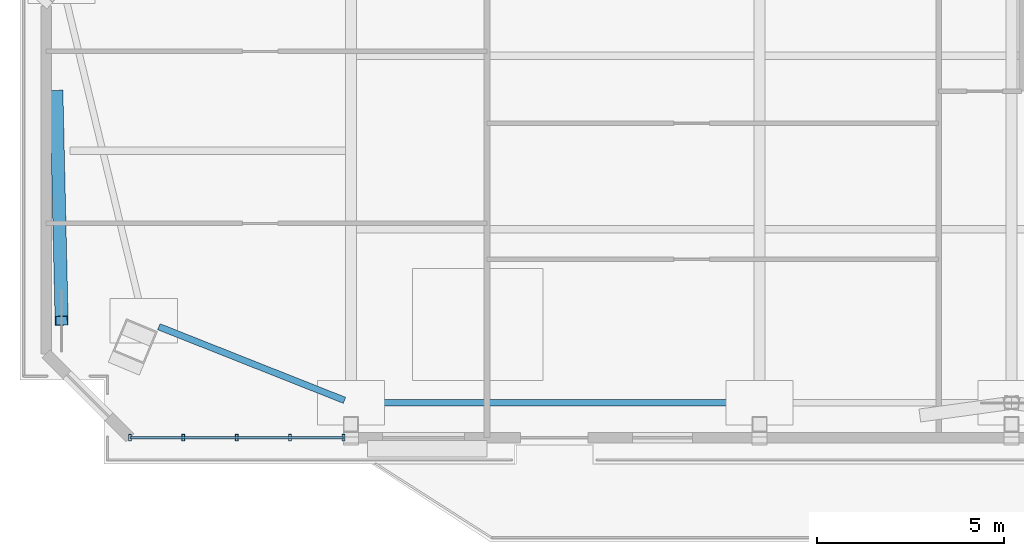
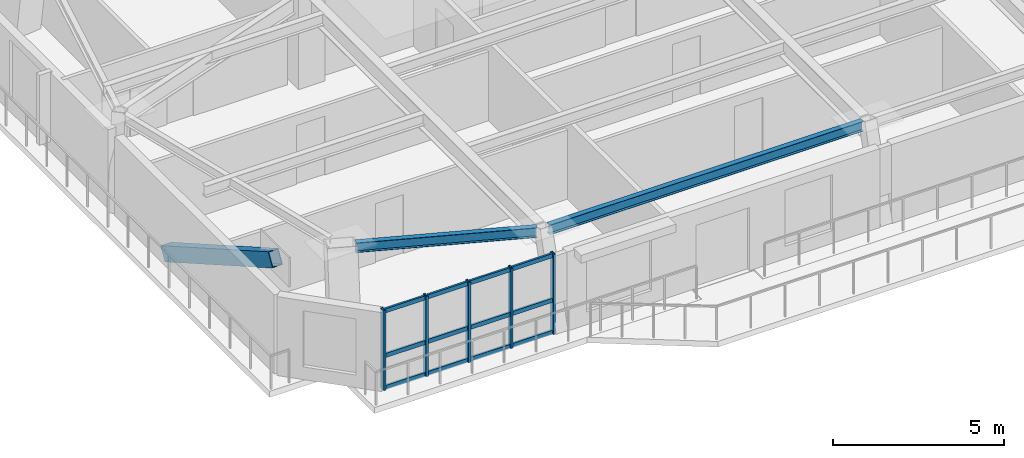
# One storey, part 2 of 12: 9 members, 2 beams, 1 element without a shape of its own.
"""IFC4 building model written with IfcOpenShell, lengths in metres."""

from ifc_helpers import new_model, si_unit, direction, frame, origin, origin_2d, place, context, subcontext, project, spatial, hollow_rectangle, i_section, extrude, source, transform, mapped, material, layer, layer_set, material_profile, profile_set, type_object, element, aggregate, save


model = new_model("IFC4")

# Units and contexts
model_context = context("Model", 3, precision=1e-05, world=origin(), true_north=direction((0.0, 1.0)))
body_context = subcontext(model_context, "Body", "Model", "MODEL_VIEW")
ifc_project = project(units=[si_unit("LENGTHUNIT", "METRE"), si_unit("AREAUNIT", "SQUARE_METRE"), si_unit("VOLUMEUNIT", "CUBIC_METRE"), si_unit("PLANEANGLEUNIT", "RADIAN"), si_unit("MASSUNIT", "GRAM", prefix="KILO")], contexts=[model_context])

# Site, building, storey
site_placement = place(None, origin())
site = spatial("IfcSite", under=ifc_project, at=site_placement, CompositionType="ELEMENT")
building_placement = place(site_placement, origin())
building = spatial("IfcBuilding", under=site, at=building_placement, Name="Giltprow Tower", CompositionType="ELEMENT")
storey_placement = place(building_placement, frame((0.0, 0.0, 342.5)))
storey = spatial("IfcBuildingStorey", under=building, at=storey_placement, Name="L89", CompositionType="ELEMENT", Elevation=342.5)

# Beams
ifc_material_1 = material(Name="Structural steel Q355B", Category="steel")
ifc_material_profile_1 = material_profile(ifc_material_1, i_section(OverallWidth=0.175048828125, OverallDepth=0.35009765625, WebThickness=0.007080078125, FlangeThickness=0.010986328125, at=origin_2d()), Name="HN 350x175x7x11")
ifc_profile_set_1 = profile_set([ifc_material_profile_1], Name="Structural steel Q355B")
beam_type = type_object("IfcBeamType", Name="BM-SPAN-HN350", PredefinedType="SPANDREL", material=ifc_profile_set_1)
shared_shape_1 = source(origin(), body_context, "Body", "SweptSolid", [
    extrude(i_section(OverallWidth=0.175048828125, OverallDepth=0.35009765625, WebThickness=0.007080078125, FlangeThickness=0.010986328125, at=origin_2d()), origin(), (0.0, 0.0, 1.0), 10.580078125),
])
beam_1_placement = place(storey_placement, frame((20.034912109375, 23.5, 3.010009765625), z_axis=(1.0, 0.0, 0.0), x_axis=(0.0, 1.0, 0.0)))
element("IfcBeam", 1, at=beam_1_placement, inside=storey, type_object=beam_type, Name="L89 Perimeter Spandrel Beam S1-S2", PredefinedType="SPANDREL", context=body_context, shape_type="MappedRepresentation", body=[
    mapped(shared_shape_1, transform((0.0, 0.0, 0.0), x_axis=(1.0, 0.0, 0.0), y_axis=(0.0, 1.0, 0.0), z_axis=(0.0, 0.0, 1.0), scale=1.0)),
])
shared_shape_2 = source(origin(), body_context, "Body", "SweptSolid", [
    extrude(i_section(OverallWidth=0.175048828125, OverallDepth=0.35009765625, WebThickness=0.007080078125, FlangeThickness=0.010986328125, at=origin_2d()), origin(), (0.0, 0.0, 1.0), 5.3505859375),
])
beam_2_placement = place(storey_placement, frame((14.7041015625, 25.5400390625, 3.010009765625), z_axis=(0.929608362745, -0.368548900304, 0.0), x_axis=(0.368548900304, 0.929608362745, 0.0)))
element("IfcBeam", 2, at=beam_2_placement, inside=storey, type_object=beam_type, Name="L89 Perimeter Spandrel Beam MC_SW-S1", PredefinedType="SPANDREL", context=body_context, shape_type="MappedRepresentation", body=[
    mapped(shared_shape_2, transform((0.0, 0.0, 0.0), x_axis=(1.0, 0.0, 0.0), y_axis=(0.0, 1.0, 0.0), z_axis=(0.0, 0.0, 1.0), scale=1.0)),
])

# Member
ifc_material_2 = material(Name="Structural steel Q420GJC", Category="steel")
ifc_material_profile_2 = material_profile(ifc_material_2, hollow_rectangle(XDim=0.35009765625, YDim=0.5, WallThickness=0.02392578125, at=origin_2d()), Name="RHS 500x350x24")
ifc_profile_set_2 = profile_set([ifc_material_profile_2], Name="Structural steel Q420GJC")
member_type_1 = type_object("IfcMemberType", Name="MBR-MEGA-RHS500", PredefinedType="BRACE", material=ifc_profile_set_2)
shared_shape_3 = source(origin(), body_context, "Body", "SweptSolid", [
    extrude(hollow_rectangle(XDim=0.35009765625, YDim=0.5, WallThickness=0.02392578125, at=origin_2d()), origin(), (0.0, 0.0, 1.0), 6.942138671875),
])
member_1_placement = place(storey_placement, frame((11.9619140625, 31.7509765625, 0.0), z_axis=(0.019905036356, -0.871636618536, 0.489748297347), x_axis=(0.99973935152, 0.022830440708, 0.0)))
element("IfcMember", 3, at=member_1_placement, inside=storey, type_object=member_type_1, Name="L89 Chevron Mega-Brace W-D", PredefinedType="BRACE", context=body_context, shape_type="MappedRepresentation", body=[
    mapped(shared_shape_3, transform((0.0, 0.0, 0.0), x_axis=(1.0, 0.0, 0.0), y_axis=(0.0, 1.0, 0.0), z_axis=(0.0, 0.0, 1.0), scale=1.0)),
])

# Curtain wall, members
ifc_material_3 = material(Name="Anodized bronze", Category="metal")
ifc_layer = layer(ifc_material_3, 0.179931640625, Name="Anodized bronze")
ifc_layer_set = layer_set([ifc_layer], Name="Anodized bronze")
curtain_wall_type = type_object("IfcCurtainWallType", Name="CW-RES-SKY", PredefinedType="NOTDEFINED", material=ifc_layer_set)
curtain_wall_placement = place(storey_placement, origin())
curtain_wall = element("IfcCurtainWall", 4, at=curtain_wall_placement, inside=storey, type_object=curtain_wall_type, Name="L89 South Recessed Curtain Wall 1", PredefinedType="NOTDEFINED")
ifc_material_profile_3 = material_profile(ifc_material_3, hollow_rectangle(XDim=0.074951171875, YDim=0.179931640625, WallThickness=0.008056640625, at=origin_2d()), Name="RHS 180x75x8")
ifc_profile_set_3 = profile_set([ifc_material_profile_3], Name="Anodized bronze")
member_type_2 = type_object("IfcMemberType", Name="CW-MULLION-180x75", PredefinedType="MULLION", material=ifc_profile_set_3)
shared_shape_4 = source(origin(), body_context, "Body", "SweptSolid", [
    extrude(hollow_rectangle(XDim=0.074951171875, YDim=0.179931640625, WallThickness=0.008056640625, at=origin_2d()), origin(), (0.0, 0.0, 1.0), 2.8701171875),
])
member_2_placement = place(storey_placement, frame((13.930908203125, 22.568115234375, -0.02001953125), z_axis=(0.0, 0.0, 1.0), x_axis=(1.0, 0.0, 0.0)))
member_2 = element("IfcMember", 5, at=member_2_placement, type_object=member_type_2, Name="L89 South Recessed Curtain Wall 1 Mullion 1", PredefinedType="MULLION", context=body_context, shape_type="MappedRepresentation", body=[
    mapped(shared_shape_4, transform((0.0, 0.0, 0.0), x_axis=(1.0, 0.0, 0.0), y_axis=(0.0, 1.0, 0.0), z_axis=(0.0, 0.0, 1.0), scale=1.0)),
])
member_3_placement = place(storey_placement, frame((15.361083984375, 22.568115234375, -0.02001953125), z_axis=(0.0, 0.0, 1.0), x_axis=(1.0, 0.0, 0.0)))
member_3 = element("IfcMember", 6, at=member_3_placement, type_object=member_type_2, Name="L89 South Recessed Curtain Wall 1 Mullion 2", PredefinedType="MULLION", context=body_context, shape_type="MappedRepresentation", body=[
    mapped(shared_shape_4, transform((0.0, 0.0, 0.0), x_axis=(1.0, 0.0, 0.0), y_axis=(0.0, 1.0, 0.0), z_axis=(0.0, 0.0, 1.0), scale=1.0)),
])
member_4_placement = place(storey_placement, frame((16.7900390625, 22.568115234375, -0.02001953125), z_axis=(0.0, 0.0, 1.0), x_axis=(1.0, 0.0, 0.0)))
member_4 = element("IfcMember", 7, at=member_4_placement, type_object=member_type_2, Name="L89 South Recessed Curtain Wall 1 Mullion 3", PredefinedType="MULLION", context=body_context, shape_type="MappedRepresentation", body=[
    mapped(shared_shape_4, transform((0.0, 0.0, 0.0), x_axis=(1.0, 0.0, 0.0), y_axis=(0.0, 1.0, 0.0), z_axis=(0.0, 0.0, 1.0), scale=1.0)),
])
member_5_placement = place(storey_placement, frame((18.219970703125, 22.568115234375, -0.02001953125), z_axis=(0.0, 0.0, 1.0), x_axis=(1.0, 0.0, 0.0)))
member_5 = element("IfcMember", 8, at=member_5_placement, type_object=member_type_2, Name="L89 South Recessed Curtain Wall 1 Mullion 4", PredefinedType="MULLION", context=body_context, shape_type="MappedRepresentation", body=[
    mapped(shared_shape_4, transform((0.0, 0.0, 0.0), x_axis=(1.0, 0.0, 0.0), y_axis=(0.0, 1.0, 0.0), z_axis=(0.0, 0.0, 1.0), scale=1.0)),
])
member_6_placement = place(storey_placement, frame((19.64990234375, 22.568115234375, -0.02001953125), z_axis=(0.0, 0.0, 1.0), x_axis=(1.0, 0.0, 0.0)))
member_6 = element("IfcMember", 9, at=member_6_placement, type_object=member_type_2, Name="L89 South Recessed Curtain Wall 1 Mullion 5", PredefinedType="MULLION", context=body_context, shape_type="MappedRepresentation", body=[
    mapped(shared_shape_4, transform((0.0, 0.0, 0.0), x_axis=(1.0, 0.0, 0.0), y_axis=(0.0, 1.0, 0.0), z_axis=(0.0, 0.0, 1.0), scale=1.0)),
])
ifc_material_profile_4 = material_profile(ifc_material_3, hollow_rectangle(XDim=0.06494140625, YDim=0.14990234375, WallThickness=0.006103515625, at=origin_2d()), Name="RHS 150x65x6")
ifc_profile_set_4 = profile_set([ifc_material_profile_4], Name="Anodized bronze")
member_type_3 = type_object("IfcMemberType", Name="CW-TRANSOM-150x65", PredefinedType="USERDEFINED", material=ifc_profile_set_4)
shared_shape_5 = source(origin(), body_context, "Body", "SweptSolid", [
    extrude(hollow_rectangle(XDim=0.06494140625, YDim=0.14990234375, WallThickness=0.006103515625, at=origin_2d()), origin(), (0.0, 0.0, 1.0), 5.718994140625),
])
member_7_placement = place(storey_placement, frame((13.930908203125, 22.568115234375, 0.0400390625), z_axis=(1.0, 0.0, 0.0), x_axis=(0.0, 1.0, 0.0)))
member_7 = element("IfcMember", 10, at=member_7_placement, type_object=member_type_3, Name="L89 South Recessed Curtain Wall 1 Transom 1", ObjectType="TRANSOM", PredefinedType="USERDEFINED", context=body_context, shape_type="MappedRepresentation", body=[
    mapped(shared_shape_5, transform((0.0, 0.0, 0.0), x_axis=(1.0, 0.0, 0.0), y_axis=(0.0, 1.0, 0.0), z_axis=(0.0, 0.0, 1.0), scale=1.0)),
])
member_8_placement = place(storey_placement, frame((13.930908203125, 22.568115234375, 1.181884765625), z_axis=(1.0, 0.0, 0.0), x_axis=(0.0, 1.0, 0.0)))
member_8 = element("IfcMember", 11, at=member_8_placement, type_object=member_type_3, Name="L89 South Recessed Curtain Wall 1 Transom 2", ObjectType="TRANSOM", PredefinedType="USERDEFINED", context=body_context, shape_type="MappedRepresentation", body=[
    mapped(shared_shape_5, transform((0.0, 0.0, 0.0), x_axis=(1.0, 0.0, 0.0), y_axis=(0.0, 1.0, 0.0), z_axis=(0.0, 0.0, 1.0), scale=1.0)),
])
member_9_placement = place(storey_placement, frame((13.930908203125, 22.568115234375, 2.77490234375), z_axis=(1.0, 0.0, 0.0), x_axis=(0.0, 1.0, 0.0)))
member_9 = element("IfcMember", 12, at=member_9_placement, type_object=member_type_3, Name="L89 South Recessed Curtain Wall 1 Transom 3", ObjectType="TRANSOM", PredefinedType="USERDEFINED", context=body_context, shape_type="MappedRepresentation", body=[
    mapped(shared_shape_5, transform((0.0, 0.0, 0.0), x_axis=(1.0, 0.0, 0.0), y_axis=(0.0, 1.0, 0.0), z_axis=(0.0, 0.0, 1.0), scale=1.0)),
])
aggregate(curtain_wall, [member_2, member_3, member_4, member_5, member_6, member_7, member_8, member_9])

save(model, "model.ifc")
